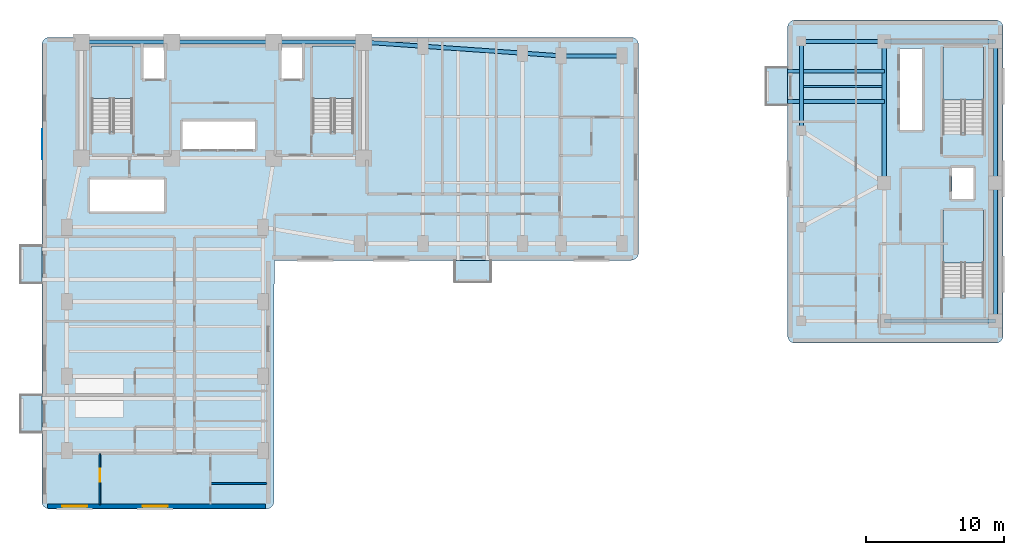
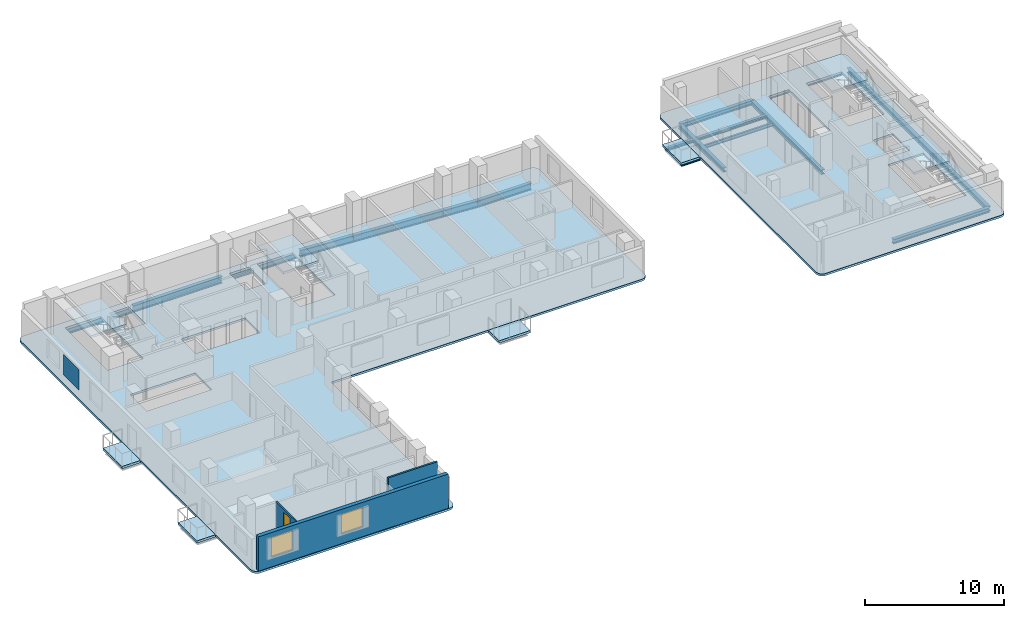
# One storey, part 2 of 9: 17 beams, 10 slabs, 3 walls, 2 windows, 1 door, 1 plate, 3 openings, 4 elements without a shape of their own.
"""IFC4 building model written with IfcOpenShell, lengths in metres."""

from ifc_helpers import new_model, si_unit, direction, frame, frame_2d, origin, origin_2d, place, context, subcontext, project, spatial, polyline, rectangle, i_section, outline, extrude, material, layer, layer_set, material_profile, profile_set, type_object, element, fill, aggregate, save


model = new_model("IFC4")

# Units and contexts
model_context = context("Model", 3, precision=1e-05, world=origin(), true_north=direction((0.0, 1.0)))
body_context = subcontext(model_context, "Body", "Model", "MODEL_VIEW")
ifc_project = project(units=[si_unit("LENGTHUNIT", "METRE"), si_unit("AREAUNIT", "SQUARE_METRE"), si_unit("VOLUMEUNIT", "CUBIC_METRE"), si_unit("PLANEANGLEUNIT", "RADIAN"), si_unit("MASSUNIT", "GRAM", prefix="KILO")], contexts=[model_context])

# Site, building, storey
site_placement = place(None, origin())
site = spatial("IfcSite", under=ifc_project, at=site_placement, CompositionType="ELEMENT")
building_placement = place(site_placement, origin())
building = spatial("IfcBuilding", under=site, at=building_placement, Name="Kuzgunbayir Cultural Tower", CompositionType="ELEMENT")
storey_placement = place(building_placement, frame((0.0, 0.0, 96.199951171875)))
storey = spatial("IfcBuildingStorey", under=building, at=storey_placement, Name="L27", CompositionType="ELEMENT", Elevation=96.199951171875)

# Beams
ifc_material_1 = material(Name="Steel S355J2", Category="steel")
ifc_material_profile_1 = material_profile(ifc_material_1, i_section(OverallWidth=0.260009765625, OverallDepth=0.260009765625, WebThickness=0.010009765625, FlangeThickness=0.017578125, FilletRadius=0.02392578125, at=origin_2d()), Name="HEB 260")
ifc_profile_set_1 = profile_set([ifc_material_profile_1], Name="Steel S355J2")
beam_type_1 = type_object("IfcBeamType", Name="BM-BAL-HEB260", PredefinedType="BEAM", material=ifc_profile_set_1)
for number, where, z_axis, x_axis, name in (
    (1, (56.159912109375, 37.89990234375, -0.329833984375), (1.0, 0.0, 0.0), (0.0, 1.0, 0.0), "L27 Companion Balcony Outrigger BAL-L27-T2W3.1"),
    (2, (56.159912109375, 40.10009765625, -0.329833984375), (1.0, 0.0, 0.0), (0.0, 1.0, 0.0), "L27 Companion Balcony Outrigger BAL-L27-T2W3.2"),
):
    element("IfcBeam", number, at=place(storey_placement, frame(where, z_axis=z_axis, x_axis=x_axis)), inside=storey, type_object=beam_type_1, Name=name, PredefinedType="BEAM", context=body_context, shape_type="SweptSolid", body=[
        extrude(i_section(OverallWidth=0.260009765625, OverallDepth=0.260009765625, WebThickness=0.010009765625, FlangeThickness=0.017578125, FilletRadius=0.02392578125, at=origin_2d()), origin(), (0.0, 0.0, 1.0), 8.440185546875),
    ])
ifc_material_profile_2 = material_profile(ifc_material_1, i_section(OverallWidth=0.300048828125, OverallDepth=0.39990234375, WebThickness=0.013427734375, FlangeThickness=0.02392578125, FilletRadius=0.027099609375, at=origin_2d()), Name="HEB 400")
ifc_profile_set_2 = profile_set([ifc_material_profile_2], Name="Steel S355J2")
beam_type_2 = type_object("IfcBeamType", Name="BM-EXT-HEB400", PredefinedType="BEAM", material=ifc_profile_set_2)
beam_1_placement = place(storey_placement, frame((58.60009765625, 35.800048828125, -0.3798828125), z_axis=(0.0, 1.0, 0.0), x_axis=(-1.0, 0.0, 0.0)))
element("IfcBeam", 3, at=beam_1_placement, inside=storey, type_object=beam_type_2, Name="L27 Companion West Girder", PredefinedType="BEAM", context=body_context, shape_type="SweptSolid", body=[
    extrude(i_section(OverallWidth=0.300048828125, OverallDepth=0.39990234375, WebThickness=0.013427734375, FlangeThickness=0.02392578125, FilletRadius=0.027099609375, at=origin_2d()), origin(), (0.0, 0.0, 1.0), 6.449951171875),
])
ifc_material_profile_3 = material_profile(ifc_material_1, i_section(OverallWidth=0.300048828125, OverallDepth=0.60009765625, WebThickness=0.015380859375, FlangeThickness=0.030029296875, FilletRadius=0.027099609375, at=origin_2d()), Name="HEB 600")
ifc_profile_set_3 = profile_set([ifc_material_profile_3], Name="Steel S355J2")
beam_type_3 = type_object("IfcBeamType", Name="BM-EXT-HEB600", PredefinedType="BEAM", material=ifc_profile_set_3)
beam_2_placement = place(storey_placement, frame((26.89990234375, 42.199951171875, -0.47998046875), z_axis=(0.997574369175, -0.069608749203, 0.0), x_axis=(0.069608749203, 0.997574369175, 0.0)))
element("IfcBeam", 4, at=beam_2_placement, inside=storey, type_object=beam_type_3, Name="L27 Wing B North Girder 1", PredefinedType="BEAM", context=body_context, shape_type="SweptSolid", body=[
    extrude(i_section(OverallWidth=0.300048828125, OverallDepth=0.60009765625, WebThickness=0.015380859375, FlangeThickness=0.030029296875, FilletRadius=0.027099609375, at=origin_2d()), origin(), (0.0, 0.0, 1.0), 4.310546875),
])
beam_3_placement = place(storey_placement, frame((31.199951171875, 41.89990234375, -0.47998046875), z_axis=(0.997597388498, -0.069278066245, 0.0), x_axis=(0.069278066245, 0.997597388498, 0.0)))
element("IfcBeam", 5, at=beam_3_placement, inside=storey, type_object=beam_type_3, Name="L27 Wing B North Girder 2", PredefinedType="BEAM", context=body_context, shape_type="SweptSolid", body=[
    extrude(i_section(OverallWidth=0.300048828125, OverallDepth=0.60009765625, WebThickness=0.015380859375, FlangeThickness=0.030029296875, FilletRadius=0.027099609375, at=origin_2d()), origin(), (0.0, 0.0, 1.0), 7.21728515625),
])
beam_4_placement = place(storey_placement, frame((38.39990234375, 41.39990234375, -0.47998046875), z_axis=(0.997460024076, -0.071228508128, 0.0), x_axis=(0.071228508128, 0.997460024076, 0.0)))
element("IfcBeam", 6, at=beam_4_placement, inside=storey, type_object=beam_type_3, Name="L27 Wing B North Girder 3", PredefinedType="BEAM", context=body_context, shape_type="SweptSolid", body=[
    extrude(i_section(OverallWidth=0.300048828125, OverallDepth=0.60009765625, WebThickness=0.015380859375, FlangeThickness=0.030029296875, FilletRadius=0.027099609375, at=origin_2d()), origin(), (0.0, 0.0, 1.0), 2.80712890625),
])
beam_5_placement = place(storey_placement, frame((41.199951171875, 41.199951171875, -0.47998046875), z_axis=(1.0, 0.0, 0.0), x_axis=(0.0, 1.0, 0.0)))
element("IfcBeam", 7, at=beam_5_placement, inside=storey, type_object=beam_type_3, Name="L27 Wing B North Girder 4", PredefinedType="BEAM", context=body_context, shape_type="SweptSolid", body=[
    extrude(i_section(OverallWidth=0.300048828125, OverallDepth=0.60009765625, WebThickness=0.015380859375, FlangeThickness=0.030029296875, FilletRadius=0.027099609375, at=origin_2d()), origin(), (0.0, 0.0, 1.0), 4.400146484375),
])
ifc_material_profile_4 = material_profile(ifc_material_1, i_section(OverallWidth=0.300048828125, OverallDepth=0.39990234375, WebThickness=0.013427734375, FlangeThickness=0.02392578125, FilletRadius=0.027099609375, at=origin_2d()), Name="HEB 400")
ifc_profile_set_4 = profile_set([ifc_material_profile_4], Name="Steel S355J2")
beam_type_4 = type_object("IfcBeamType", Name="BM-GIR-HEB400", PredefinedType="BEAM", material=ifc_profile_set_4)
beam_6_placement = place(storey_placement, frame((58.60009765625, 42.25, -0.3798828125), z_axis=(1.0, 0.0, 0.0), x_axis=(0.0, 1.0, 0.0)))
element("IfcBeam", 8, at=beam_6_placement, inside=storey, type_object=beam_type_4, Name="L27 Companion Transverse Girder 4", PredefinedType="BEAM", context=body_context, shape_type="SweptSolid", body=[
    extrude(i_section(OverallWidth=0.300048828125, OverallDepth=0.39990234375, WebThickness=0.013427734375, FlangeThickness=0.02392578125, FilletRadius=0.027099609375, at=origin_2d()), origin(), (0.0, 0.0, 1.0), 6.0),
])
beam_7_placement = place(storey_placement, frame((64.60009765625, 32.0, -0.3798828125), z_axis=(0.0, 1.0, 0.0), x_axis=(-1.0, 0.0, 0.0)))
element("IfcBeam", 9, at=beam_7_placement, inside=storey, type_object=beam_type_4, Name="L27 Companion Core West Girder 2", PredefinedType="BEAM", context=body_context, shape_type="SweptSolid", body=[
    extrude(i_section(OverallWidth=0.300048828125, OverallDepth=0.39990234375, WebThickness=0.013427734375, FlangeThickness=0.02392578125, FilletRadius=0.027099609375, at=origin_2d()), origin(), (0.0, 0.0, 1.0), 10.25),
])
beam_8_placement = place(storey_placement, frame((72.64990234375, 22.0, -0.3798828125), z_axis=(0.0, 1.0, 0.0), x_axis=(-1.0, 0.0, 0.0)))
element("IfcBeam", 10, at=beam_8_placement, inside=storey, type_object=beam_type_4, Name="L27 Companion Core East Girder 1", PredefinedType="BEAM", context=body_context, shape_type="SweptSolid", body=[
    extrude(i_section(OverallWidth=0.300048828125, OverallDepth=0.39990234375, WebThickness=0.013427734375, FlangeThickness=0.02392578125, FilletRadius=0.027099609375, at=origin_2d()), origin(), (0.0, 0.0, 1.0), 10.0),
])
beam_9_placement = place(storey_placement, frame((72.64990234375, 32.0, -0.3798828125), z_axis=(0.0, 1.0, 0.0), x_axis=(-1.0, 0.0, 0.0)))
element("IfcBeam", 11, at=beam_9_placement, inside=storey, type_object=beam_type_4, Name="L27 Companion Core East Girder 2", PredefinedType="BEAM", context=body_context, shape_type="SweptSolid", body=[
    extrude(i_section(OverallWidth=0.300048828125, OverallDepth=0.39990234375, WebThickness=0.013427734375, FlangeThickness=0.02392578125, FilletRadius=0.027099609375, at=origin_2d()), origin(), (0.0, 0.0, 1.0), 10.25),
])
for number, where, z_axis, x_axis, name in (
    (12, (64.60009765625, 22.0, -0.3798828125), (1.0, 0.0, 0.0), (0.0, 1.0, 0.0), "L27 Companion Core South Girder"),
    (13, (64.60009765625, 42.25, -0.3798828125), (1.0, 0.0, 0.0), (0.0, 1.0, 0.0), "L27 Companion Core North Girder"),
):
    element("IfcBeam", number, at=place(storey_placement, frame(where, z_axis=z_axis, x_axis=x_axis)), inside=storey, type_object=beam_type_4, Name=name, PredefinedType="BEAM", context=body_context, shape_type="SweptSolid", body=[
        extrude(i_section(OverallWidth=0.300048828125, OverallDepth=0.39990234375, WebThickness=0.013427734375, FlangeThickness=0.02392578125, FilletRadius=0.027099609375, at=origin_2d()), origin(), (0.0, 0.0, 1.0), 8.0498046875),
    ])
ifc_material_profile_5 = material_profile(ifc_material_1, i_section(OverallWidth=0.300048828125, OverallDepth=0.60009765625, WebThickness=0.015380859375, FlangeThickness=0.030029296875, FilletRadius=0.027099609375, at=origin_2d()), Name="HEB 600")
ifc_profile_set_5 = profile_set([ifc_material_profile_5], Name="Steel S355J2")
beam_type_5 = type_object("IfcBeamType", Name="BM-GIR-HEB600", PredefinedType="BEAM", material=ifc_profile_set_5)
beam_10_placement = place(storey_placement, frame((6.449951171875, 42.199951171875, -0.47998046875), z_axis=(1.0, 0.0, 0.0), x_axis=(0.0, 1.0, 0.0)))
element("IfcBeam", 14, at=beam_10_placement, inside=storey, type_object=beam_type_5, Name="L27 Core North Girder 1", PredefinedType="BEAM", context=body_context, shape_type="SweptSolid", body=[
    extrude(i_section(OverallWidth=0.300048828125, OverallDepth=0.60009765625, WebThickness=0.015380859375, FlangeThickness=0.030029296875, FilletRadius=0.027099609375, at=origin_2d()), origin(), (0.0, 0.0, 1.0), 6.550048828125),
])
beam_11_placement = place(storey_placement, frame((13.0, 42.199951171875, -0.47998046875), z_axis=(1.0, 0.0, 0.0), x_axis=(0.0, 1.0, 0.0)))
element("IfcBeam", 15, at=beam_11_placement, inside=storey, type_object=beam_type_5, Name="L27 Core North Girder 2", PredefinedType="BEAM", context=body_context, shape_type="SweptSolid", body=[
    extrude(i_section(OverallWidth=0.300048828125, OverallDepth=0.60009765625, WebThickness=0.015380859375, FlangeThickness=0.030029296875, FilletRadius=0.027099609375, at=origin_2d()), origin(), (0.0, 0.0, 1.0), 7.39990234375),
])
beam_12_placement = place(storey_placement, frame((20.39990234375, 42.199951171875, -0.47998046875), z_axis=(1.0, 0.0, 0.0), x_axis=(0.0, 1.0, 0.0)))
element("IfcBeam", 16, at=beam_12_placement, inside=storey, type_object=beam_type_5, Name="L27 Core North Girder 3", PredefinedType="BEAM", context=body_context, shape_type="SweptSolid", body=[
    extrude(i_section(OverallWidth=0.300048828125, OverallDepth=0.60009765625, WebThickness=0.015380859375, FlangeThickness=0.030029296875, FilletRadius=0.027099609375, at=origin_2d()), origin(), (0.0, 0.0, 1.0), 6.5),
])
ifc_material_profile_6 = material_profile(ifc_material_1, i_section(OverallWidth=0.14990234375, OverallDepth=0.300048828125, WebThickness=0.007080078125, FlangeThickness=0.0107421875, FilletRadius=0.014892578125, at=origin_2d()), Name="IPE 300")
ifc_profile_set_6 = profile_set([ifc_material_profile_6], Name="Steel S355J2")
beam_type_6 = type_object("IfcBeamType", Name="BM-JST-IPE300", PredefinedType="JOIST", material=ifc_profile_set_6)
beam_13_placement = place(storey_placement, frame((58.75, 39.0, -0.329833984375), z_axis=(1.0, 0.0, 0.0), x_axis=(0.0, 1.0, 0.0)))
element("IfcBeam", 17, at=beam_13_placement, inside=storey, type_object=beam_type_6, Name="L27 Companion Joist", PredefinedType="JOIST", context=body_context, shape_type="SweptSolid", body=[
    extrude(i_section(OverallWidth=0.14990234375, OverallDepth=0.300048828125, WebThickness=0.007080078125, FlangeThickness=0.0107421875, FilletRadius=0.014892578125, at=origin_2d()), origin(), (0.0, 0.0, 1.0), 5.699951171875),
])

# Plate
ifc_material_2 = material(Name="Perforated Bronze-Anodised Aluminium", Category="aluminium")
ifc_layer_1 = layer(ifc_material_2, 0.02392578125)
ifc_layer_set_1 = layer_set([ifc_layer_1], Name="Perforated Bronze-Anodised Aluminium")
plate_type = type_object("IfcPlateType", Name="PLT-SOLAR-SCREEN-14", PredefinedType="SHEET", material=ifc_layer_set_1)
plate_placement = place(storey_placement, frame((3.6298828125, 34.800048828125, 0.75), z_axis=(0.0, 0.0, 1.0), x_axis=(1.0, 0.0, 0.0)))
element("IfcPlate", 18, at=plate_placement, inside=storey, type_object=plate_type, Name="L27 Tower 1 Perforated Ceramic Solar Screen Panel", PredefinedType="SHEET", context=body_context, shape_type="SweptSolid", body=[
    extrude(rectangle(XDim=0.02392578125, YDim=2.199951171875, at=origin_2d()), origin(), (0.0, 0.0, 1.0), 1.800048828125),
])

# Slabs
ifc_material_3 = material(Name="Concrete C40/50", Category="concrete")
ifc_layer_2 = layer(ifc_material_3, 0.199951171875)
ifc_layer_set_2 = layer_set([ifc_layer_2], Name="Concrete C40/50")
slab_type_1 = type_object("IfcSlabType", Name="SLB-BAL-STONE", PredefinedType="FLOOR", material=ifc_layer_set_2)
slab_1_placement = place(storey_placement, frame((0.0, 0.0, -0.199951171875)))
element("IfcSlab", 19, at=slab_1_placement, inside=storey, type_object=slab_type_1, Name="L27 Projecting Limestone Balcony BAL-L27-WA1", PredefinedType="FLOOR", context=body_context, shape_type="SweptSolid", body=[
    extrude(outline(polyline([(2.0400390625, 13.949951171875), (3.60009765625, 13.949951171875), (3.60009765625, 16.64990234375), (2.0400390625, 16.64990234375), (2.0400390625, 13.949951171875)])), origin(), (0.0, 0.0, 1.0), 0.199951171875),
])
slab_2_placement = place(storey_placement, frame((0.0, 0.0, -0.199951171875)))
element("IfcSlab", 20, at=slab_2_placement, inside=storey, type_object=slab_type_1, Name="L27 Projecting Limestone Balcony BAL-L27-WA3", PredefinedType="FLOOR", context=body_context, shape_type="SweptSolid", body=[
    extrude(outline(polyline([(2.0400390625, 24.75), (3.60009765625, 24.75), (3.60009765625, 27.449951171875), (2.0400390625, 27.449951171875), (2.0400390625, 24.75)])), origin(), (0.0, 0.0, 1.0), 0.199951171875),
])
slab_3_placement = place(storey_placement, frame((0.0, 0.0, -0.199951171875)))
element("IfcSlab", 21, at=slab_3_placement, inside=storey, type_object=slab_type_1, Name="L27 Projecting Limestone Balcony BAL-L27-WB2", PredefinedType="FLOOR", context=body_context, shape_type="SweptSolid", body=[
    extrude(outline(polyline([(33.5, 24.840087890625), (36.10009765625, 24.840087890625), (36.10009765625, 26.39990234375), (33.5, 26.39990234375), (33.5, 24.840087890625)])), origin(), (0.0, 0.0, 1.0), 0.199951171875),
])
slab_4_placement = place(storey_placement, frame((0.0, 0.0, -0.199951171875)))
element("IfcSlab", 22, at=slab_4_placement, inside=storey, type_object=slab_type_1, Name="L27 Projecting Limestone Balcony BAL-L27-T2W3", PredefinedType="FLOOR", context=body_context, shape_type="SweptSolid", body=[
    extrude(outline(polyline([(56.0400390625, 37.64990234375), (57.60009765625, 37.64990234375), (57.60009765625, 40.35009765625), (56.0400390625, 40.35009765625), (56.0400390625, 37.64990234375)])), origin(), (0.0, 0.0, 1.0), 0.199951171875),
])

# Stair, slab
stair_type = type_object("IfcStairType", Name="STR-EXIT-CORE", PredefinedType="HALF_TURN_STAIR", material=ifc_material_3)
stair_1_placement = place(storey_placement, origin())
stair_1 = element("IfcStair", 23, at=stair_1_placement, inside=storey, type_object=stair_type, Name="L27 ST-1", PredefinedType="HALF_TURN_STAIR")
ifc_layer_3 = layer(ifc_material_3, 0.179931640625)
ifc_layer_set_3 = layer_set([ifc_layer_3], Name="Concrete C40/50")
slab_type_2 = type_object("IfcSlabType", Name="SLB-LANDING-180", PredefinedType="LANDING", material=ifc_layer_set_3)
slab_5_placement = place(storey_placement, frame((0.0, 0.0, 1.400146484375)))
slab_5 = element("IfcSlab", 24, at=slab_5_placement, type_object=slab_type_2, Name="ST-1 landing 1", PredefinedType="LANDING", context=body_context, shape_type="SweptSolid", body=[
    extrude(outline(polyline([(10.159912109375, 38.1201171875), (10.159912109375, 41.89990234375), (7.199951171875, 41.89990234375), (7.199951171875, 38.1201171875), (10.159912109375, 38.1201171875)])), origin(), (0.0, 0.0, 1.0), 0.199951171875),
])
aggregate(stair_1, [slab_5])

stair_2_placement = place(storey_placement, origin())
stair_2 = element("IfcStair", 25, at=stair_2_placement, inside=storey, type_object=stair_type, Name="L27 ST-2", PredefinedType="HALF_TURN_STAIR")
slab_6_placement = place(storey_placement, frame((0.0, 0.0, 1.400146484375)))
slab_6 = element("IfcSlab", 26, at=slab_6_placement, type_object=slab_type_2, Name="ST-2 landing 1", PredefinedType="LANDING", context=body_context, shape_type="SweptSolid", body=[
    extrude(outline(polyline([(26.159912109375, 38.1201171875), (26.159912109375, 41.89990234375), (23.199951171875, 41.89990234375), (23.199951171875, 38.1201171875), (26.159912109375, 38.1201171875)])), origin(), (0.0, 0.0, 1.0), 0.199951171875),
])
aggregate(stair_2, [slab_6])

stair_3_placement = place(storey_placement, origin())
stair_3 = element("IfcStair", 27, at=stair_3_placement, inside=storey, type_object=stair_type, Name="L27 ST-3", PredefinedType="HALF_TURN_STAIR")
slab_7_placement = place(storey_placement, frame((0.0, 0.0, 1.400146484375)))
slab_7 = element("IfcSlab", 28, at=slab_7_placement, type_object=slab_type_2, Name="ST-3 landing 1", PredefinedType="LANDING", context=body_context, shape_type="SweptSolid", body=[
    extrude(outline(polyline([(71.800048828125, 26.219970703125), (71.800048828125, 30.0), (68.840087890625, 30.0), (68.840087890625, 26.219970703125), (71.800048828125, 26.219970703125)])), origin(), (0.0, 0.0, 1.0), 0.199951171875),
])
aggregate(stair_3, [slab_7])

stair_4_placement = place(storey_placement, origin())
stair_4 = element("IfcStair", 29, at=stair_4_placement, inside=storey, type_object=stair_type, Name="L27 ST-4", PredefinedType="HALF_TURN_STAIR")
slab_8_placement = place(storey_placement, frame((0.0, 0.0, 1.400146484375)))
slab_8 = element("IfcSlab", 30, at=slab_8_placement, type_object=slab_type_2, Name="ST-4 landing 1", PredefinedType="LANDING", context=body_context, shape_type="SweptSolid", body=[
    extrude(outline(polyline([(71.800048828125, 38.02001953125), (71.800048828125, 41.800048828125), (68.840087890625, 41.800048828125), (68.840087890625, 38.02001953125), (71.800048828125, 38.02001953125)])), origin(), (0.0, 0.0, 1.0), 0.199951171875),
])
aggregate(stair_4, [slab_8])

# Slabs
ifc_layer_4 = layer(ifc_material_3, 0.179931640625)
ifc_layer_set_4 = layer_set([ifc_layer_4], Name="Concrete C40/50")
slab_type_3 = type_object("IfcSlabType", Name="SLB-TYP-180", PredefinedType="FLOOR", material=ifc_layer_set_4)
slab_9_placement = place(storey_placement, frame((0.0, 0.0, -0.179931640625)))
element("IfcSlab", 31, at=slab_9_placement, inside=storey, type_object=slab_type_3, Name="L27 Tower 1 Floor Slab T1-MAIN", PredefinedType="FLOOR", context=body_context, shape_type="SweptSolid", body=[
    extrude(outline(polyline([(20.39990234375, 8.949951171875), (20.389892578125, 8.840087890625), (20.360107421875, 8.739990234375), (20.31005859375, 8.639892578125), (20.239990234375, 8.56005859375), (20.159912109375, 8.489990234375), (20.06005859375, 8.43994140625), (19.9599609375, 8.409912109375), (19.85009765625, 8.39990234375), (4.14990234375, 8.39990234375), (4.0400390625, 8.409912109375), (3.93994140625, 8.43994140625), (3.840087890625, 8.489990234375), (3.760009765625, 8.56005859375), (3.68994140625, 8.639892578125), (3.639892578125, 8.739990234375), (3.610107421875, 8.840087890625), (3.60009765625, 8.949951171875), (3.60009765625, 42.0), (3.610107421875, 42.110107421875), (3.639892578125, 42.2099609375), (3.68994140625, 42.31005859375), (3.760009765625, 42.389892578125), (3.840087890625, 42.4599609375), (3.93994140625, 42.510009765625), (4.0400390625, 42.5400390625), (4.14990234375, 42.550048828125), (46.25, 42.550048828125), (46.360107421875, 42.5400390625), (46.4599609375, 42.510009765625), (46.56005859375, 42.4599609375), (46.639892578125, 42.389892578125), (46.7099609375, 42.31005859375), (46.760009765625, 42.2099609375), (46.7900390625, 42.110107421875), (46.800048828125, 42.0), (46.800048828125, 26.949951171875), (46.7900390625, 26.840087890625), (46.760009765625, 26.739990234375), (46.7099609375, 26.639892578125), (46.639892578125, 26.56005859375), (46.56005859375, 26.489990234375), (46.4599609375, 26.43994140625), (46.360107421875, 26.409912109375), (46.25, 26.39990234375), (20.429931640625, 26.39990234375), (20.39990234375, 8.949951171875)]), holes=[polyline([(7.199951171875, 35.760009765625), (7.199951171875, 41.89990234375), (10.159912109375, 41.89990234375), (10.159912109375, 35.760009765625), (7.199951171875, 35.760009765625)]), polyline([(23.199951171875, 35.760009765625), (23.199951171875, 41.89990234375), (26.159912109375, 41.89990234375), (26.159912109375, 35.760009765625), (23.199951171875, 35.760009765625)]), polyline([(13.75, 34.39990234375), (13.75, 36.5), (19.080078125, 36.5), (19.080078125, 34.39990234375), (13.75, 34.39990234375)]), polyline([(7.10009765625, 29.89990234375), (7.10009765625, 32.300048828125), (12.5, 32.300048828125), (12.5, 29.89990234375), (7.10009765625, 29.89990234375)]), polyline([(10.89990234375, 39.5), (10.89990234375, 41.89990234375), (12.5, 41.89990234375), (12.5, 39.5), (10.89990234375, 39.5)]), polyline([(20.89990234375, 39.5), (20.89990234375, 41.89990234375), (22.5, 41.89990234375), (22.5, 39.5), (20.89990234375, 39.5)])]), origin(), (0.0, 0.0, 1.0), 0.179931640625),
])
slab_10_placement = place(storey_placement, frame((0.0, 0.0, -0.179931640625)))
element("IfcSlab", 32, at=slab_10_placement, inside=storey, type_object=slab_type_3, Name="L27 Companion Tower 2 Floor Slab", PredefinedType="FLOOR", context=body_context, shape_type="SweptSolid", body=[
    extrude(outline(polyline([(72.64990234375, 20.39990234375), (72.760009765625, 20.409912109375), (72.860107421875, 20.43994140625), (72.9599609375, 20.489990234375), (73.0400390625, 20.56005859375), (73.110107421875, 20.639892578125), (73.159912109375, 20.739990234375), (73.18994140625, 20.840087890625), (73.199951171875, 20.949951171875), (73.199951171875, 43.25), (73.18994140625, 43.360107421875), (73.159912109375, 43.4599609375), (73.110107421875, 43.56005859375), (73.0400390625, 43.639892578125), (72.9599609375, 43.7099609375), (72.860107421875, 43.760009765625), (72.760009765625, 43.7900390625), (72.64990234375, 43.800048828125), (58.14990234375, 43.800048828125), (58.0400390625, 43.7900390625), (57.93994140625, 43.760009765625), (57.840087890625, 43.7099609375), (57.760009765625, 43.639892578125), (57.68994140625, 43.56005859375), (57.639892578125, 43.4599609375), (57.610107421875, 43.360107421875), (57.60009765625, 43.25), (57.60009765625, 20.949951171875), (57.610107421875, 20.840087890625), (57.639892578125, 20.739990234375), (57.68994140625, 20.639892578125), (57.760009765625, 20.56005859375), (57.840087890625, 20.489990234375), (57.93994140625, 20.43994140625), (58.0400390625, 20.409912109375), (58.14990234375, 20.39990234375), (72.64990234375, 20.39990234375)]), holes=[polyline([(68.840087890625, 23.860107421875), (68.840087890625, 30.0), (71.800048828125, 30.0), (71.800048828125, 23.860107421875), (68.840087890625, 23.860107421875)]), polyline([(68.840087890625, 35.659912109375), (68.840087890625, 41.800048828125), (71.800048828125, 41.800048828125), (71.800048828125, 35.659912109375), (68.840087890625, 35.659912109375)]), polyline([(65.699951171875, 35.800048828125), (65.699951171875, 41.75), (67.39990234375, 41.75), (67.39990234375, 35.800048828125), (65.699951171875, 35.800048828125)]), polyline([(69.5, 30.800048828125), (69.5, 33.199951171875), (71.10009765625, 33.199951171875), (71.10009765625, 30.800048828125), (69.5, 30.800048828125)])]), origin(), (0.0, 0.0, 1.0), 0.179931640625),
])

# Wall, openings, windows
ifc_material_4 = material(Name="Travertine Buff Ashlar", Category="masonry")
ifc_layer_5 = layer(ifc_material_4, 0.320068359375)
ifc_layer_set_5 = layer_set([ifc_layer_5], Name="Travertine Buff Ashlar")
wall_type_1 = type_object("IfcWallType", Name="WAL-EXT-STONE-320", PredefinedType="STANDARD", material=ifc_layer_set_5)
wall_1_placement = place(storey_placement, frame((4.0, 8.60009765625, 0.0), z_axis=(0.0, 0.0, 1.0), x_axis=(1.0, 0.0, 0.0)))
wall_1 = element("IfcWall", 33, at=wall_1_placement, inside=storey, type_object=wall_type_1, Name="L27 Wing A South Limestone Wall", PredefinedType="STANDARD", context=body_context, shape_type="SweptSolid", body=[
    extrude(rectangle(XDim=15.800048828125, YDim=0.320068359375, at=frame_2d((7.89990234375, 0.0))), origin(), (0.0, 0.0, 1.0), 3.02001953125),
])
opening_1_placement = place(wall_1_placement, frame((1.070068359375, 0.0, 0.85009765625)))
opening_1 = element("IfcOpeningElement", 34, at=opening_1_placement, cuts=wall_1, Name="Opening WH-18", PredefinedType="OPENING", context=body_context, shape_type="SweptSolid", body=[
    extrude(rectangle(XDim=1.800048828125, YDim=1.75, at=frame_2d((0.89990234375, 0.875))), frame((0.0, 0.169921875, 0.0), z_axis=(0.0, -1.0, 0.0), x_axis=(1.0, 0.0, 0.0)), (0.0, 0.0, 1.0), 0.340087890625),
])
opening_2_placement = place(wall_1_placement, frame((6.89990234375, 0.0, 0.85009765625)))
opening_2 = element("IfcOpeningElement", 35, at=opening_2_placement, cuts=wall_1, Name="Opening WH-18", PredefinedType="OPENING", context=body_context, shape_type="SweptSolid", body=[
    extrude(rectangle(XDim=1.800048828125, YDim=1.75, at=frame_2d((0.89990234375, 0.875))), frame((0.0, 0.169921875, 0.0), z_axis=(0.0, -1.0, 0.0), x_axis=(1.0, 0.0, 0.0)), (0.0, 0.0, 1.0), 0.340087890625),
])
ifc_material_5 = material(Name="Solar-Control Triple Glazing", Category="glass")
window_type = type_object("IfcWindowType", Name="WIN-HOTEL-18", PartitioningType="SINGLE_PANEL", PredefinedType="WINDOW", material=ifc_material_5)
window_1_placement = place(opening_1_placement, origin())
window_1 = element("IfcWindow", 36, at=window_1_placement, inside=storey, type_object=window_type, Name="L27 WAS Facade Window 2", OverallHeight=1.75, OverallWidth=1.800048828125, PartitioningType="SINGLE_PANEL", PredefinedType="WINDOW", context=body_context, shape_type="SweptSolid", body=[
    extrude(rectangle(XDim=1.800048828125, YDim=1.75, at=frame_2d((0.89990234375, 0.875))), frame((0.0, 0.030029296875, 0.0), z_axis=(0.0, -1.0, 0.0), x_axis=(1.0, 0.0, 0.0)), (0.0, 0.0, 1.0), 0.06005859375),
])
fill(opening_1, window_1)
window_2_placement = place(opening_2_placement, origin())
window_2 = element("IfcWindow", 37, at=window_2_placement, inside=storey, type_object=window_type, Name="L27 WAS Facade Window 3", OverallHeight=1.75, OverallWidth=1.800048828125, PartitioningType="SINGLE_PANEL", PredefinedType="WINDOW", context=body_context, shape_type="SweptSolid", body=[
    extrude(rectangle(XDim=1.800048828125, YDim=1.75, at=frame_2d((0.89990234375, 0.875))), frame((0.0, 0.030029296875, 0.0), z_axis=(0.0, -1.0, 0.0), x_axis=(1.0, 0.0, 0.0)), (0.0, 0.0, 1.0), 0.06005859375),
])
fill(opening_2, window_2)

# Wall, opening, door
ifc_material_6 = material(Name="Framed Gypsum Partition", Category="gypsum")
ifc_layer_6 = layer(ifc_material_6, 0.1201171875)
ifc_layer_set_6 = layer_set([ifc_layer_6], Name="Framed Gypsum Partition")
wall_type_2 = type_object("IfcWallType", Name="WAL-PART-INT-120", PredefinedType="PARTITIONING", material=ifc_layer_set_6)
wall_2_placement = place(storey_placement, frame((7.800048828125, 8.699951171875, 0.0), z_axis=(0.0, 0.0, 1.0), x_axis=(0.0, 1.0, 0.0)))
wall_2 = element("IfcWall", 38, at=wall_2_placement, inside=storey, type_object=wall_type_2, Name="L27 Diplomatic Suite Bedroom Wall", PredefinedType="PARTITIONING", context=body_context, shape_type="SweptSolid", body=[
    extrude(rectangle(XDim=3.699951171875, YDim=0.1201171875, at=frame_2d((1.85009765625, 0.0))), origin(), (0.0, 0.0, 1.0), 2.41015625),
])
opening_3_placement = place(wall_2_placement, frame((1.669921875, 0.0, 0.0)))
opening_3 = element("IfcOpeningElement", 39, at=opening_3_placement, cuts=wall_2, Name="Opening DI-90", PredefinedType="OPENING", context=body_context, shape_type="SweptSolid", body=[
    extrude(rectangle(XDim=0.949951171875, YDim=2.14990234375, at=frame_2d((0.47509765625, 1.074951171875))), frame((0.0, 0.070068359375, 0.0), z_axis=(0.0, -1.0, 0.0), x_axis=(1.0, 0.0, 0.0)), (0.0, 0.0, 1.0), 0.14013671875),
])
ifc_material_7 = material(Name="Veneered Oak Single Leaf", Category="wood")
door_type = type_object("IfcDoorType", Name="DR-INT-90", OperationType="NOTDEFINED", PredefinedType="DOOR", material=ifc_material_7)
door_placement = place(opening_3_placement, origin())
door = element("IfcDoor", 40, at=door_placement, inside=storey, type_object=door_type, Name="L27 Diplomatic Bedroom Door", OperationType="SINGLE_SWING_LEFT", OverallHeight=2.14990234375, OverallWidth=0.949951171875, PredefinedType="DOOR", context=body_context, shape_type="SweptSolid", body=[
    extrude(rectangle(XDim=0.949951171875, YDim=2.14990234375, at=frame_2d((0.47509765625, 1.074951171875))), frame((0.0, 0.02490234375, 0.0), z_axis=(0.0, -1.0, 0.0), x_axis=(1.0, 0.0, 0.0)), (0.0, 0.0, 1.0), 0.050048828125),
])
fill(opening_3, door)

# Wall
ifc_material_8 = material(Name="Moisture-Resistant Tile Partition", Category="gypsum")
ifc_layer_7 = layer(ifc_material_8, 0.14990234375)
ifc_layer_set_7 = layer_set([ifc_layer_7], Name="Moisture-Resistant Tile Partition")
wall_type_3 = type_object("IfcWallType", Name="WAL-PART-WET-150", PredefinedType="PARTITIONING", material=ifc_layer_set_7)
wall_3_placement = place(storey_placement, frame((15.800048828125, 10.25, 0.0), z_axis=(0.0, 0.0, 1.0), x_axis=(1.0, 0.0, 0.0)))
element("IfcWall", 41, at=wall_3_placement, inside=storey, type_object=wall_type_3, Name="L27 Diplomatic Suite Bath Kitchen Divider", PredefinedType="PARTITIONING", context=body_context, shape_type="SweptSolid", body=[
    extrude(rectangle(XDim=4.099853515625, YDim=0.14990234375, at=frame_2d((2.0498046875, 0.0))), origin(), (0.0, 0.0, 1.0), 3.02001953125),
])

save(model, "model.ifc")
